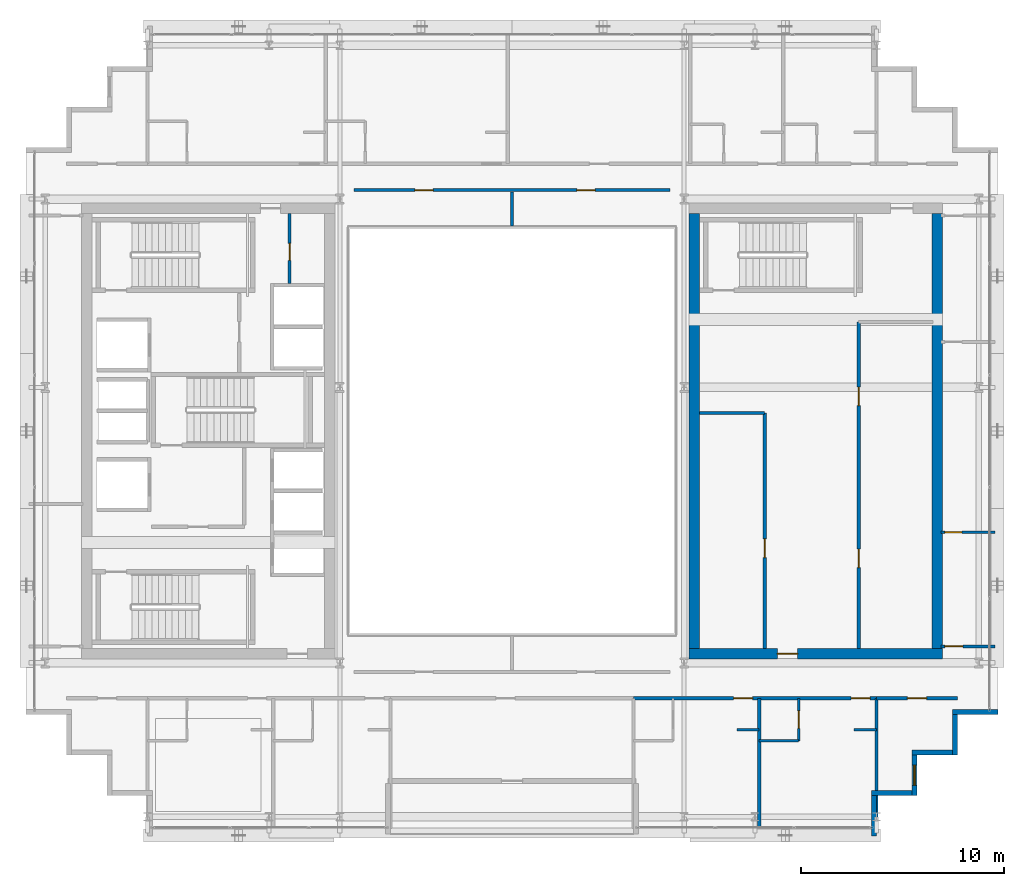
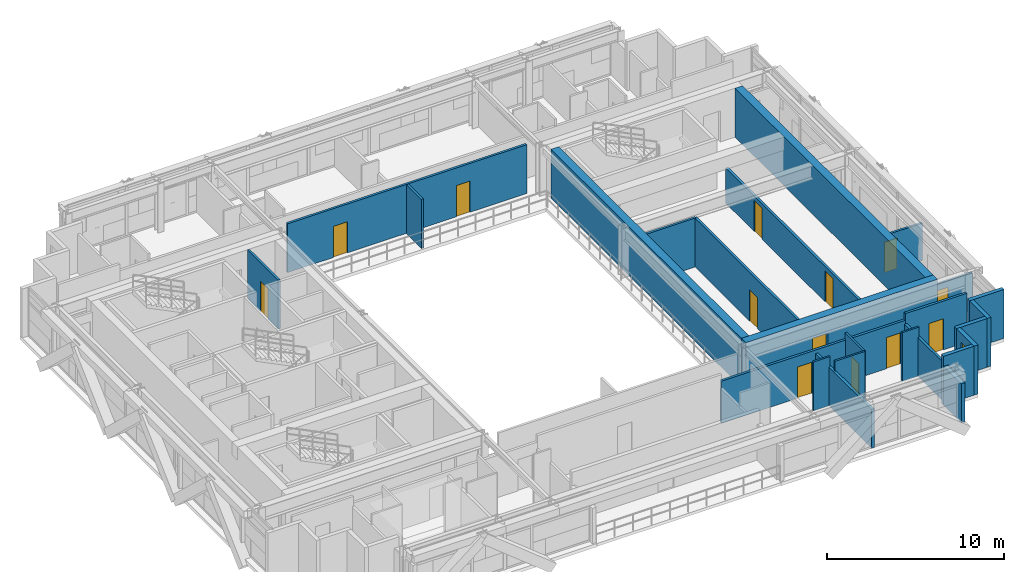
# One storey, part 25 of 31: 25 walls, 13 doors, 1 window, 14 openings.
"""IFC4 building model written with IfcOpenShell, lengths in metres."""

from ifc_helpers import new_model, si_unit, direction, frame, frame_2d, origin, place, context, subcontext, project, spatial, rectangle, extrude, source, transform, mapped, material, layer, layer_set, type_object, element, fill, save


model = new_model("IFC4")

# Units and contexts
model_context = context("Model", 3, precision=1e-05, world=origin(), true_north=direction((0.0, 1.0)))
body_context = subcontext(model_context, "Body", "Model", "MODEL_VIEW")
ifc_project = project(units=[si_unit("LENGTHUNIT", "METRE"), si_unit("AREAUNIT", "SQUARE_METRE"), si_unit("VOLUMEUNIT", "CUBIC_METRE"), si_unit("PLANEANGLEUNIT", "RADIAN"), si_unit("MASSUNIT", "GRAM", prefix="KILO")], contexts=[model_context])

# Site, building, storey
site_placement = place(None, origin())
site = spatial("IfcSite", under=ifc_project, at=site_placement, CompositionType="ELEMENT")
building_placement = place(site_placement, origin())
building = spatial("IfcBuilding", under=site, at=building_placement, Name="Ocotamira Hotel", CompositionType="ELEMENT")
storey_placement = place(building_placement, frame((0.0, 0.0, 181.199951171875)))
storey = spatial("IfcBuildingStorey", under=building, at=storey_placement, Name="L45", CompositionType="ELEMENT", Elevation=181.199951171875)

# Wall, opening, door
ifc_material_1 = material(Name="Concrete C50/60", Category="concrete")
ifc_layer_1 = layer(ifc_material_1, 0.5)
ifc_layer_set_1 = layer_set([ifc_layer_1], Name="Concrete C50/60")
wall_type_1 = type_object("IfcWallType", Name="WL-CORE-500", PredefinedType="SHEAR", material=ifc_layer_set_1)
wall_1_placement = place(storey_placement, frame((40.75, 15.0, 0.0), z_axis=(0.0, 0.0, 1.0), x_axis=(1.0, 0.0, 0.0)))
wall_1 = element("IfcWall", 1, at=wall_1_placement, inside=storey, type_object=wall_type_1, Name="L45 Shear Core Wall ECORE-S", PredefinedType="SHEAR", context=body_context, shape_type="SweptSolid", body=[
    extrude(rectangle(XDim=12.5, YDim=0.5, at=frame_2d((6.25, 0.0))), origin(), (0.0, 0.0, 1.0), 3.3701171875),
])
opening_1_placement = place(wall_1_placement, frame((4.35009765625, 0.0, 0.0)))
opening_1 = element("IfcOpeningElement", 2, at=opening_1_placement, cuts=wall_1, Name="Opening D-FR2", PredefinedType="OPENING", context=body_context, shape_type="SweptSolid", body=[
    extrude(rectangle(XDim=1.0, YDim=2.14990234375, at=frame_2d((0.5, 1.074951171875))), frame((0.0, 0.260009765625, 0.0), z_axis=(0.0, -1.0, 0.0), x_axis=(1.0, 0.0, 0.0)), (0.0, 0.0, 1.0), 0.52001953125),
])
ifc_material_2 = material(Name="Fire-rated acoustic timber-veneer door", Category="wood")
door_type_1 = type_object("IfcDoorType", Name="DR-FIRE-1000", OperationType="NOTDEFINED", PredefinedType="DOOR", material=ifc_material_2)
shared_shape_1 = source(origin(), body_context, "Body", "SweptSolid", [
    extrude(rectangle(XDim=1.0, YDim=2.14990234375, at=frame_2d((0.5, 1.074951171875))), frame((0.0, 0.02490234375, 0.0), z_axis=(0.0, -1.0, 0.0), x_axis=(1.0, 0.0, 0.0)), (0.0, 0.0, 1.0), 0.050048828125),
])
door_1_placement = place(opening_1_placement, origin())
door_1 = element("IfcDoor", 3, at=door_1_placement, inside=storey, type_object=door_type_1, Name="L45 Door ID-L45-ELOB-S-D [ID-L45-ELOB-S-D]", OperationType="SINGLE_SWING_RIGHT", OverallHeight=2.14990234375, OverallWidth=1.0, PredefinedType="DOOR", context=body_context, shape_type="MappedRepresentation", body=[
    mapped(shared_shape_1, transform((0.0, 0.0, 0.0), scale=1.0)),
])
fill(opening_1, door_1)

# Walls
for number, where, z_axis, x_axis, name in (
    (4, (41.0, 15.25, 0.0), (0.0, 0.0, 1.0), (0.0, 1.0, 0.0), "L45 Shear Core Wall ECORE-W"),
    (5, (53.0, 15.25, 0.0), (0.0, 0.0, 1.0), (0.0, 1.0, 0.0), "L45 Shear Core Wall ECORE-E"),
):
    element("IfcWall", number, at=place(storey_placement, frame(where, z_axis=z_axis, x_axis=x_axis)), inside=storey, type_object=wall_type_1, Name=name, PredefinedType="SHEAR", context=body_context, shape_type="SweptSolid", body=[
        extrude(rectangle(XDim=21.5, YDim=0.5, at=frame_2d((10.75, 0.0))), origin(), (0.0, 0.0, 1.0), 3.3701171875),
    ])
ifc_material_3 = material(Name="Precast concrete C45/55", Category="concrete")
ifc_layer_2 = layer(ifc_material_3, 0.25)
ifc_layer_set_2 = layer_set([ifc_layer_2], Name="Precast concrete C45/55")
wall_type_2 = type_object("IfcWallType", Name="WL-EXT-SER-250", PredefinedType="SOLIDWALL", material=ifc_layer_set_2)
wall_2_placement = place(storey_placement, frame((49.875, 6.0, 0.0), z_axis=(0.0, 0.0, 1.0), x_axis=(0.0, 1.0, 0.0)))
element("IfcWall", 6, at=wall_2_placement, inside=storey, type_object=wall_type_2, Name="L45 Serrated Corner Wall 01", PredefinedType="SOLIDWALL", context=body_context, shape_type="SweptSolid", body=[
    extrude(rectangle(XDim=2.0, YDim=0.25, at=frame_2d((1.0, 0.0))), origin(), (0.0, 0.0, 1.0), 2.677001953125),
])
wall_3_placement = place(storey_placement, frame((49.75, 8.125, 0.0), z_axis=(0.0, 0.0, 1.0), x_axis=(1.0, 0.0, 0.0)))
element("IfcWall", 7, at=wall_3_placement, inside=storey, type_object=wall_type_2, Name="L45 Serrated Corner Wall 02", PredefinedType="SOLIDWALL", context=body_context, shape_type="SweptSolid", body=[
    extrude(rectangle(XDim=2.0, YDim=0.25, at=frame_2d((1.0, 0.0))), origin(), (0.0, 0.0, 1.0), 3.3701171875),
])

# Wall, opening, window
wall_4_placement = place(storey_placement, frame((51.875, 8.0, 0.0), z_axis=(0.0, 0.0, 1.0), x_axis=(0.0, 1.0, 0.0)))
wall_4 = element("IfcWall", 8, at=wall_4_placement, inside=storey, type_object=wall_type_2, Name="L45 Serrated Corner Wall 03", PredefinedType="SOLIDWALL", context=body_context, shape_type="SweptSolid", body=[
    extrude(rectangle(XDim=2.0, YDim=0.25, at=frame_2d((1.0, 0.0))), origin(), (0.0, 0.0, 1.0), 3.3701171875),
])
opening_2_placement = place(wall_4_placement, frame((0.5, 0.0, 0.85009765625)))
opening_2 = element("IfcOpeningElement", 9, at=opening_2_placement, cuts=wall_4, Name="Opening WN-2", PredefinedType="OPENING", context=body_context, shape_type="SweptSolid", body=[
    extrude(rectangle(XDim=1.0, YDim=1.89990234375, at=frame_2d((0.5, 0.949951171875))), frame((0.0, 0.135009765625, 0.0), z_axis=(0.0, -1.0, 0.0), x_axis=(1.0, 0.0, 0.0)), (0.0, 0.0, 1.0), 0.27001953125),
])
ifc_material_4 = material(Name="Double-silver low-E solar glass", Category="glass")
window_type = type_object("IfcWindowType", Name="WIN-SER-1100", PartitioningType="SINGLE_PANEL", PredefinedType="WINDOW", material=ifc_material_4)
shared_shape_2 = source(origin(), body_context, "Body", "SweptSolid", [
    extrude(rectangle(XDim=1.0, YDim=1.89990234375, at=frame_2d((0.5, 0.949951171875))), frame((0.0, 0.030029296875, 0.0), z_axis=(0.0, -1.0, 0.0), x_axis=(1.0, 0.0, 0.0)), (0.0, 0.0, 1.0), 0.06005859375),
])
window_placement = place(opening_2_placement, origin())
window = element("IfcWindow", 10, at=window_placement, inside=storey, type_object=window_type, Name="L45 Serrated Corner Window 03", OverallHeight=1.89990234375, OverallWidth=1.0, PartitioningType="SINGLE_PANEL", PredefinedType="WINDOW", context=body_context, shape_type="MappedRepresentation", body=[
    mapped(shared_shape_2, transform((0.0, 0.0, 0.0), scale=1.0)),
])
fill(opening_2, window)

# Walls
for number, where, z_axis, x_axis, name in (
    (11, (51.75, 10.125, 0.0), (0.0, 0.0, 1.0), (1.0, 0.0, 0.0), "L45 Serrated Corner Wall 04"),
    (12, (53.875, 10.0, 0.0), (0.0, 0.0, 1.0), (0.0, 1.0, 0.0), "L45 Serrated Corner Wall 05"),
):
    element("IfcWall", number, at=place(storey_placement, frame(where, z_axis=z_axis, x_axis=x_axis)), inside=storey, type_object=wall_type_2, Name=name, PredefinedType="SOLIDWALL", context=body_context, shape_type="SweptSolid", body=[
        extrude(rectangle(XDim=2.0, YDim=0.25, at=frame_2d((1.0, 0.0))), origin(), (0.0, 0.0, 1.0), 3.3701171875),
    ])
wall_5_placement = place(storey_placement, frame((53.75, 12.125, 0.0), z_axis=(0.0, 0.0, 1.0), x_axis=(1.0, 0.0, 0.0)))
element("IfcWall", 13, at=wall_5_placement, inside=storey, type_object=wall_type_2, Name="L45 Serrated Corner Wall 06", PredefinedType="SOLIDWALL", context=body_context, shape_type="SweptSolid", body=[
    extrude(rectangle(XDim=2.25, YDim=0.25, at=frame_2d((1.125, 0.0))), origin(), (0.0, 0.0, 1.0), 3.3701171875),
])

# Wall, openings, doors
ifc_material_5 = material(Name="Acoustic double-layer fire gypsum board partition", Category="gypsum")
ifc_layer_3 = layer(ifc_material_5, 0.159912109375)
ifc_layer_set_3 = layer_set([ifc_layer_3], Name="Acoustic double-layer fire gypsum board partition")
wall_type_3 = type_object("IfcWallType", Name="WL-FIRE-160", PredefinedType="PARTITIONING", material=ifc_layer_set_3)
wall_6_placement = place(storey_placement, frame((49.1201171875, 15.25, 0.0), z_axis=(0.0, 0.0, 1.0), x_axis=(0.0, 1.0, 0.0)))
wall_6 = element("IfcWall", 14, at=wall_6_placement, inside=storey, type_object=wall_type_3, Name="L45 Interior Wall PW-L45-EC-FLOW-W", PredefinedType="PARTITIONING", context=body_context, shape_type="SweptSolid", body=[
    extrude(rectangle(XDim=16.1298828125, YDim=0.159912109375, at=frame_2d((8.06494140625, 0.0))), origin(), (0.0, 0.0, 1.0), 2.443115234375),
])
opening_3_placement = place(wall_6_placement, frame((4.0, 0.0, 0.0)))
opening_3 = element("IfcOpeningElement", 15, at=opening_3_placement, cuts=wall_6, Name="Opening D-SV3", PredefinedType="OPENING", context=body_context, shape_type="SweptSolid", body=[
    extrude(rectangle(XDim=0.919921875, YDim=2.14990234375, at=frame_2d((0.4599609375, 1.074951171875))), frame((0.0, 0.08984375, 0.0), z_axis=(0.0, -1.0, 0.0), x_axis=(1.0, 0.0, 0.0)), (0.0, 0.0, 1.0), 0.179931640625),
])
opening_4_placement = place(wall_6_placement, frame((12.0, 0.0, 0.0)))
opening_4 = element("IfcOpeningElement", 16, at=opening_4_placement, cuts=wall_6, Name="Opening D-SV3", PredefinedType="OPENING", context=body_context, shape_type="SweptSolid", body=[
    extrude(rectangle(XDim=0.919921875, YDim=2.14990234375, at=frame_2d((0.4599609375, 1.074951171875))), frame((0.0, 0.08984375, 0.0), z_axis=(0.0, -1.0, 0.0), x_axis=(1.0, 0.0, 0.0)), (0.0, 0.0, 1.0), 0.179931640625),
])
ifc_material_6 = material(Name="Fire-rated walnut hospitality door", Category="wood")
door_type_2 = type_object("IfcDoorType", Name="DR-SERV-920", OperationType="NOTDEFINED", PredefinedType="DOOR", material=ifc_material_6)
shared_shape_3 = source(origin(), body_context, "Body", "SweptSolid", [
    extrude(rectangle(XDim=0.919921875, YDim=2.14990234375, at=frame_2d((0.4599609375, 1.074951171875))), frame((0.0, 0.02490234375, 0.0), z_axis=(0.0, -1.0, 0.0), x_axis=(1.0, 0.0, 0.0)), (0.0, 0.0, 1.0), 0.050048828125),
])
door_2_placement = place(opening_3_placement, origin())
door_2 = element("IfcDoor", 17, at=door_2_placement, inside=storey, type_object=door_type_2, Name="L45 Door ID-L45-EC-FLOW-D1 [ID-L45-EC-FLOW-D1]", OperationType="SINGLE_SWING_LEFT", OverallHeight=2.14990234375, OverallWidth=0.919921875, PredefinedType="DOOR", context=body_context, shape_type="MappedRepresentation", body=[
    mapped(shared_shape_3, transform((0.0, 0.0, 0.0), scale=1.0)),
])
fill(opening_3, door_2)
door_3_placement = place(opening_4_placement, origin())
door_3 = element("IfcDoor", 18, at=door_3_placement, inside=storey, type_object=door_type_2, Name="L45 Door ID-L45-EC-FLOW-D2 [ID-L45-EC-FLOW-D2]", OperationType="SINGLE_SWING_RIGHT", OverallHeight=2.14990234375, OverallWidth=0.919921875, PredefinedType="DOOR", context=body_context, shape_type="MappedRepresentation", body=[
    mapped(shared_shape_3, transform((0.0, 0.0, 0.0), scale=1.0)),
])
fill(opening_4, door_3)

# Wall, opening, door
wall_7_placement = place(storey_placement, frame((50.0, 12.800048828125, 0.0), z_axis=(0.0, 0.0, 1.0), x_axis=(1.0, 0.0, 0.0)))
wall_7 = element("IfcWall", 19, at=wall_7_placement, inside=storey, type_object=wall_type_3, Name="L45 Interior Wall PW-L45-Z3B-CSE-CW", PredefinedType="PARTITIONING", context=body_context, shape_type="SweptSolid", body=[
    extrude(rectangle(XDim=4.0, YDim=0.159912109375, at=frame_2d((2.0, 0.0))), origin(), (0.0, 0.0, 1.0), 3.3701171875),
])
opening_5_placement = place(wall_7_placement, frame((1.52001953125, 0.0, 0.0)))
opening_5 = element("IfcOpeningElement", 20, at=opening_5_placement, cuts=wall_7, Name="Opening D-SV4", PredefinedType="OPENING", context=body_context, shape_type="SweptSolid", body=[
    extrude(rectangle(XDim=0.9599609375, YDim=2.14990234375, at=frame_2d((0.47998046875, 1.074951171875))), frame((0.0, 0.08984375, 0.0), z_axis=(0.0, -1.0, 0.0), x_axis=(1.0, 0.0, 0.0)), (0.0, 0.0, 1.0), 0.179931640625),
])
ifc_material_7 = material(Name="Fire-rated accessible walnut salon door", Category="wood")
door_type_3 = type_object("IfcDoorType", Name="DR-SERV-960", OperationType="NOTDEFINED", PredefinedType="DOOR", material=ifc_material_7)
shared_shape_4 = source(origin(), body_context, "Body", "SweptSolid", [
    extrude(rectangle(XDim=0.9599609375, YDim=2.14990234375, at=frame_2d((0.47998046875, 1.074951171875))), frame((0.0, 0.02490234375, 0.0), z_axis=(0.0, -1.0, 0.0), x_axis=(1.0, 0.0, 0.0)), (0.0, 0.0, 1.0), 0.050048828125),
])
door_4_placement = place(opening_5_placement, origin())
door_4 = element("IfcDoor", 21, at=door_4_placement, inside=storey, type_object=door_type_3, Name="L45 Door ID-L45-Z3B-CSE-CD [ID-L45-Z3B-CSE-CD]", OperationType="SINGLE_SWING_LEFT", OverallHeight=2.14990234375, OverallWidth=0.9599609375, PredefinedType="DOOR", context=body_context, shape_type="MappedRepresentation", body=[
    mapped(shared_shape_4, transform((0.0, 0.0, 0.0), scale=1.0)),
])
fill(opening_5, door_4)

# Wall, openings, doors
wall_8_placement = place(storey_placement, frame((38.0, 12.800048828125, 0.0), z_axis=(0.0, 0.0, 1.0), x_axis=(1.0, 0.0, 0.0)))
wall_8 = element("IfcWall", 22, at=wall_8_placement, inside=storey, type_object=wall_type_3, Name="L45 Interior Wall PW-L45-Z3BSE-CORRW", PredefinedType="PARTITIONING", context=body_context, shape_type="SweptSolid", body=[
    extrude(rectangle(XDim=12.0, YDim=0.159912109375, at=frame_2d((6.0, 0.0))), origin(), (0.0, 0.0, 1.0), 2.9130859375),
])
opening_6_placement = place(wall_8_placement, frame((4.93994140625, 0.0, 0.0)))
opening_6 = element("IfcOpeningElement", 23, at=opening_6_placement, cuts=wall_8, Name="Opening D-GR1", PredefinedType="OPENING", context=body_context, shape_type="SweptSolid", body=[
    extrude(rectangle(XDim=0.93994140625, YDim=2.14990234375, at=frame_2d((0.469970703125, 1.074951171875))), frame((0.0, 0.08984375, 0.0), z_axis=(0.0, -1.0, 0.0), x_axis=(1.0, 0.0, 0.0)), (0.0, 0.0, 1.0), 0.179931640625),
])
opening_7_placement = place(wall_8_placement, frame((10.739990234375, 0.0, 0.0)))
opening_7 = element("IfcOpeningElement", 24, at=opening_7_placement, cuts=wall_8, Name="Opening D-GR1", PredefinedType="OPENING", context=body_context, shape_type="SweptSolid", body=[
    extrude(rectangle(XDim=0.93994140625, YDim=2.14990234375, at=frame_2d((0.469970703125, 1.074951171875))), frame((0.0, 0.08984375, 0.0), z_axis=(0.0, -1.0, 0.0), x_axis=(1.0, 0.0, 0.0)), (0.0, 0.0, 1.0), 0.179931640625),
])
ifc_material_8 = material(Name="Solid-core walnut suite entrance fire door", Category="wood")
door_type_4 = type_object("IfcDoorType", Name="DR-GUEST-940", OperationType="NOTDEFINED", PredefinedType="DOOR", material=ifc_material_8)
shared_shape_5 = source(origin(), body_context, "Body", "SweptSolid", [
    extrude(rectangle(XDim=0.93994140625, YDim=2.14990234375, at=frame_2d((0.469970703125, 1.074951171875))), frame((0.0, 0.02490234375, 0.0), z_axis=(0.0, -1.0, 0.0), x_axis=(1.0, 0.0, 0.0)), (0.0, 0.0, 1.0), 0.050048828125),
])
door_5_placement = place(opening_6_placement, origin())
door_5 = element("IfcDoor", 25, at=door_5_placement, inside=storey, type_object=door_type_4, Name="L45 Door ID-L45-Z3BSE-RMD1 [ID-L45-Z3BSE-RMD1]", OperationType="SINGLE_SWING_LEFT", OverallHeight=2.14990234375, OverallWidth=0.93994140625, PredefinedType="DOOR", context=body_context, shape_type="MappedRepresentation", body=[
    mapped(shared_shape_5, transform((0.0, 0.0, 0.0), scale=1.0)),
])
fill(opening_6, door_5)
door_6_placement = place(opening_7_placement, origin())
door_6 = element("IfcDoor", 26, at=door_6_placement, inside=storey, type_object=door_type_4, Name="L45 Door ID-L45-Z3BSE-RMD2 [ID-L45-Z3BSE-RMD2]", OperationType="SINGLE_SWING_RIGHT", OverallHeight=2.14990234375, OverallWidth=0.93994140625, PredefinedType="DOOR", context=body_context, shape_type="MappedRepresentation", body=[
    mapped(shared_shape_5, transform((0.0, 0.0, 0.0), scale=1.0)),
])
fill(opening_7, door_6)

# Wall
ifc_material_9 = material(Name="Moisture-resistant en-suite tile and gypsum partition", Category="gypsum")
ifc_layer_4 = layer(ifc_material_9, 0.1201171875)
ifc_layer_set_4 = layer_set([ifc_layer_4], Name="Moisture-resistant en-suite tile and gypsum partition")
wall_type_4 = type_object("IfcWallType", Name="WL-PART-120", PredefinedType="PARTITIONING", material=ifc_layer_set_4)
wall_9_placement = place(storey_placement, frame((43.10009765625, 11.25, 0.0), z_axis=(0.0, 0.0, 1.0), x_axis=(1.0, 0.0, 0.0)))
element("IfcWall", 27, at=wall_9_placement, inside=storey, type_object=wall_type_4, Name="L45 Interior Wall PW-L45-Z3BSE-DRN1", PredefinedType="PARTITIONING", context=body_context, shape_type="SweptSolid", body=[
    extrude(rectangle(XDim=1.099853515625, YDim=0.1201171875, at=frame_2d((0.5498046875, 0.0))), origin(), (0.0, 0.0, 1.0), 3.3701171875),
])

# Wall, opening, door
wall_10_placement = place(storey_placement, frame((46.14990234375, 10.699951171875, 0.0), z_axis=(0.0, 0.0, 1.0), x_axis=(0.0, 1.0, 0.0)))
wall_10 = element("IfcWall", 28, at=wall_10_placement, inside=storey, type_object=wall_type_4, Name="L45 Interior Wall PW-L45-Z3BSE-BAE2", PredefinedType="PARTITIONING", context=body_context, shape_type="SweptSolid", body=[
    extrude(rectangle(XDim=2.10009765625, YDim=0.1201171875, at=frame_2d((1.050048828125, 0.0))), origin(), (0.0, 0.0, 1.0), 3.3701171875),
])
opening_8_placement = place(wall_10_placement, frame((0.6201171875, 0.0, 0.0)))
opening_8 = element("IfcOpeningElement", 29, at=opening_8_placement, cuts=wall_10, Name="Opening D-BA1", PredefinedType="OPENING", context=body_context, shape_type="SweptSolid", body=[
    extrude(rectangle(XDim=0.860107421875, YDim=2.10009765625, at=frame_2d((0.43017578125, 1.050048828125))), frame((0.0, 0.070068359375, 0.0), z_axis=(0.0, -1.0, 0.0), x_axis=(1.0, 0.0, 0.0)), (0.0, 0.0, 1.0), 0.14013671875),
])
ifc_material_10 = material(Name="Moisture-sealed en-suite timber door", Category="wood")
door_type_5 = type_object("IfcDoorType", Name="DR-BATH-860", OperationType="NOTDEFINED", PredefinedType="DOOR", material=ifc_material_10)
shared_shape_6 = source(origin(), body_context, "Body", "SweptSolid", [
    extrude(rectangle(XDim=0.860107421875, YDim=2.10009765625, at=frame_2d((0.43017578125, 1.050048828125))), frame((0.0, 0.02490234375, 0.0), z_axis=(0.0, -1.0, 0.0), x_axis=(1.0, 0.0, 0.0)), (0.0, 0.0, 1.0), 0.050048828125),
])
door_7_placement = place(opening_8_placement, origin())
door_7 = element("IfcDoor", 30, at=door_7_placement, inside=storey, type_object=door_type_5, Name="L45 Door ID-L45-Z3BSE-BAD2 [ID-L45-Z3BSE-BAD2]", OperationType="SINGLE_SWING_LEFT", OverallHeight=2.10009765625, OverallWidth=0.860107421875, PredefinedType="DOOR", context=body_context, shape_type="MappedRepresentation", body=[
    mapped(shared_shape_6, transform((0.0, 0.0, 0.0), scale=1.0)),
])
fill(opening_8, door_7)

# Walls
wall_11_placement = place(storey_placement, frame((44.199951171875, 10.699951171875, 0.0), z_axis=(0.0, 0.0, 1.0), x_axis=(1.0, 0.0, 0.0)))
element("IfcWall", 31, at=wall_11_placement, inside=storey, type_object=wall_type_4, Name="L45 Interior Wall PW-L45-Z3BSE-BAS2", PredefinedType="PARTITIONING", context=body_context, shape_type="SweptSolid", body=[
    extrude(rectangle(XDim=1.949951171875, YDim=0.1201171875, at=frame_2d((0.97509765625, 0.0))), origin(), (0.0, 0.0, 1.0), 3.3701171875),
])
wall_12_placement = place(storey_placement, frame((48.89990234375, 11.25, 0.0), z_axis=(0.0, 0.0, 1.0), x_axis=(1.0, 0.0, 0.0)))
element("IfcWall", 32, at=wall_12_placement, inside=storey, type_object=wall_type_4, Name="L45 Interior Wall PW-L45-Z3BSE-DRN2", PredefinedType="PARTITIONING", context=body_context, shape_type="SweptSolid", body=[
    extrude(rectangle(XDim=1.10009765625, YDim=0.1201171875, at=frame_2d((0.550048828125, 0.0))), origin(), (0.0, 0.0, 1.0), 3.3701171875),
])

# Wall, opening, door
ifc_material_11 = material(Name="Acoustic hospitality gypsum board partition", Category="gypsum")
ifc_layer_5 = layer(ifc_material_11, 0.14208984375)
ifc_layer_set_5 = layer_set([ifc_layer_5], Name="Acoustic hospitality gypsum board partition")
wall_type_5 = type_object("IfcWallType", Name="WL-PART-142", PredefinedType="PARTITIONING", material=ifc_layer_set_5)
wall_13_placement = place(storey_placement, frame((21.02001953125, 33.280029296875, 0.0), z_axis=(0.0, 0.0, 1.0), x_axis=(0.0, 1.0, 0.0)))
wall_13 = element("IfcWall", 33, at=wall_13_placement, inside=storey, type_object=wall_type_5, Name="L45 Interior Wall PW-L45-WC-NE-W", PredefinedType="PARTITIONING", context=body_context, shape_type="SweptSolid", body=[
    extrude(rectangle(XDim=3.469970703125, YDim=0.14208984375, at=frame_2d((1.73486328125, 0.0))), origin(), (0.0, 0.0, 1.0), 3.3701171875),
])
opening_9_placement = place(wall_13_placement, frame((1.14990234375, 0.0, 0.0)))
opening_9 = element("IfcOpeningElement", 34, at=opening_9_placement, cuts=wall_13, Name="Opening D-SV1", PredefinedType="OPENING", context=body_context, shape_type="SweptSolid", body=[
    extrude(rectangle(XDim=0.840087890625, YDim=2.10009765625, at=frame_2d((0.419921875, 1.050048828125))), frame((0.0, 0.0810546875, 0.0), z_axis=(0.0, -1.0, 0.0), x_axis=(1.0, 0.0, 0.0)), (0.0, 0.0, 1.0), 0.162109375),
])
ifc_material_12 = material(Name="Fire-rated painted steel service door", Category="steel")
door_type_6 = type_object("IfcDoorType", Name="DR-SERV-840", OperationType="NOTDEFINED", PredefinedType="DOOR", material=ifc_material_12)
shared_shape_7 = source(origin(), body_context, "Body", "SweptSolid", [
    extrude(rectangle(XDim=0.840087890625, YDim=2.10009765625, at=frame_2d((0.419921875, 1.050048828125))), frame((0.0, 0.02490234375, 0.0), z_axis=(0.0, -1.0, 0.0), x_axis=(1.0, 0.0, 0.0)), (0.0, 0.0, 1.0), 0.050048828125),
])
door_8_placement = place(opening_9_placement, origin())
door_8 = element("IfcDoor", 35, at=door_8_placement, inside=storey, type_object=door_type_6, Name="L45 Door ID-L45-WC-NE-D [ID-L45-WC-NE-D]", OperationType="SINGLE_SWING_LEFT", OverallHeight=2.10009765625, OverallWidth=0.840087890625, PredefinedType="DOOR", context=body_context, shape_type="MappedRepresentation", body=[
    mapped(shared_shape_7, transform((0.0, 0.0, 0.0), scale=1.0)),
])
fill(opening_9, door_8)

# Wall
wall_14_placement = place(storey_placement, frame((32.0, 36.1201171875, 0.0), z_axis=(0.0, 0.0, 1.0), x_axis=(0.0, 1.0, 0.0)))
element("IfcWall", 36, at=wall_14_placement, inside=storey, type_object=wall_type_5, Name="L45 Interior Wall PW-L45-Z3B-AND1", PredefinedType="PARTITIONING", context=body_context, shape_type="SweptSolid", body=[
    extrude(rectangle(XDim=1.679931640625, YDim=0.14208984375, at=frame_2d((0.83984375, 0.0))), origin(), (0.0, 0.0, 1.0), 3.3701171875),
])

# Wall, opening, door
wall_15_placement = place(storey_placement, frame((53.179931640625, 21.0, 0.0), z_axis=(0.0, 0.0, 1.0), x_axis=(1.0, 0.0, 0.0)))
wall_15 = element("IfcWall", 37, at=wall_15_placement, inside=storey, type_object=wall_type_5, Name="L45 Interior Wall PW-L45-Z3B-EF-DV1", PredefinedType="PARTITIONING", context=body_context, shape_type="SweptSolid", body=[
    extrude(rectangle(XDim=2.66015625, YDim=0.14208984375, at=frame_2d((1.330078125, 0.0))), origin(), (0.0, 0.0, 1.0), 2.591064453125),
])
opening_10_placement = place(wall_15_placement, frame((0.199951171875, 0.0, 0.0)))
opening_10 = element("IfcOpeningElement", 38, at=opening_10_placement, cuts=wall_15, Name="Opening D-SV1", PredefinedType="OPENING", context=body_context, shape_type="SweptSolid", body=[
    extrude(rectangle(XDim=0.840087890625, YDim=2.10009765625, at=frame_2d((0.419921875, 1.050048828125))), frame((0.0, 0.0810546875, 0.0), z_axis=(0.0, -1.0, 0.0), x_axis=(1.0, 0.0, 0.0)), (0.0, 0.0, 1.0), 0.162109375),
])
door_9_placement = place(opening_10_placement, origin())
door_9 = element("IfcDoor", 39, at=door_9_placement, inside=storey, type_object=door_type_6, Name="L45 Door ID-L45-Z3B-EF-DV1D [ID-L45-Z3B-EF-DV1D]", OperationType="SINGLE_SWING_LEFT", OverallHeight=2.10009765625, OverallWidth=0.840087890625, PredefinedType="DOOR", context=body_context, shape_type="MappedRepresentation", body=[
    mapped(shared_shape_7, transform((0.0, 0.0, 0.0), scale=1.0)),
])
fill(opening_10, door_9)

# Wall
ifc_layer_6 = layer(ifc_material_11, 0.14990234375)
ifc_layer_set_6 = layer_set([ifc_layer_6], Name="Acoustic hospitality gypsum board partition")
wall_type_6 = type_object("IfcWallType", Name="WL-PART-150", PredefinedType="PARTITIONING", material=ifc_layer_set_6)
wall_16_placement = place(storey_placement, frame((41.25, 26.8798828125, 0.0), z_axis=(0.0, 0.0, 1.0), x_axis=(1.0, 0.0, 0.0)))
element("IfcWall", 40, at=wall_16_placement, inside=storey, type_object=wall_type_6, Name="L45 Interior Wall PW-L45-EC-FMID-N", PredefinedType="PARTITIONING", context=body_context, shape_type="SweptSolid", body=[
    extrude(rectangle(XDim=3.22998046875, YDim=0.14990234375, at=frame_2d((1.614990234375, 0.0))), origin(), (0.0, 0.0, 1.0), 3.3701171875),
])

# Wall, opening, door
wall_17_placement = place(storey_placement, frame((44.47998046875, 15.25, 0.0), z_axis=(0.0, 0.0, 1.0), x_axis=(0.0, 1.0, 0.0)))
wall_17 = element("IfcWall", 41, at=wall_17_placement, inside=storey, type_object=wall_type_6, Name="L45 Interior Wall PW-L45-EC-FMID-E", PredefinedType="PARTITIONING", context=body_context, shape_type="SweptSolid", body=[
    extrude(rectangle(XDim=11.6298828125, YDim=0.14990234375, at=frame_2d((5.81494140625, 0.0))), origin(), (0.0, 0.0, 1.0), 3.3701171875),
])
opening_11_placement = place(wall_17_placement, frame((4.5, 0.0, 0.0)))
opening_11 = element("IfcOpeningElement", 42, at=opening_11_placement, cuts=wall_17, Name="Opening D-SV3", PredefinedType="OPENING", context=body_context, shape_type="SweptSolid", body=[
    extrude(rectangle(XDim=0.919921875, YDim=2.14990234375, at=frame_2d((0.4599609375, 1.074951171875))), frame((0.0, 0.0849609375, 0.0), z_axis=(0.0, -1.0, 0.0), x_axis=(1.0, 0.0, 0.0)), (0.0, 0.0, 1.0), 0.169921875),
])
door_10_placement = place(opening_11_placement, origin())
door_10 = element("IfcDoor", 43, at=door_10_placement, inside=storey, type_object=door_type_2, Name="L45 Door ID-L45-EC-FMID-D1 [ID-L45-EC-FMID-D1]", OperationType="SINGLE_SWING_RIGHT", OverallHeight=2.14990234375, OverallWidth=0.919921875, PredefinedType="DOOR", context=body_context, shape_type="MappedRepresentation", body=[
    mapped(shared_shape_3, transform((0.0, 0.0, 0.0), scale=1.0)),
])
fill(opening_11, door_10)

# Wall, openings, doors
wall_18_placement = place(storey_placement, frame((24.199951171875, 37.89990234375, 0.0), z_axis=(0.0, 0.0, 1.0), x_axis=(1.0, 0.0, 0.0)))
wall_18 = element("IfcWall", 44, at=wall_18_placement, inside=storey, type_object=wall_type_6, Name="L45 Interior Wall PW-L45-Z3B-ATRNW", PredefinedType="PARTITIONING", context=body_context, shape_type="SweptSolid", body=[
    extrude(rectangle(XDim=15.60009765625, YDim=0.14990234375, at=frame_2d((7.800048828125, 0.0))), origin(), (0.0, 0.0, 1.0), 3.3701171875),
])
opening_12_placement = place(wall_18_placement, frame((3.0, 0.0, 0.0)))
opening_12 = element("IfcOpeningElement", 45, at=opening_12_placement, cuts=wall_18, Name="Opening D-IN3", PredefinedType="OPENING", context=body_context, shape_type="SweptSolid", body=[
    extrude(rectangle(XDim=0.89990234375, YDim=2.14990234375, at=frame_2d((0.449951171875, 1.074951171875))), frame((0.0, 0.0849609375, 0.0), z_axis=(0.0, -1.0, 0.0), x_axis=(1.0, 0.0, 0.0)), (0.0, 0.0, 1.0), 0.169921875),
])
opening_13_placement = place(wall_18_placement, frame((11.0, 0.0, 0.0)))
opening_13 = element("IfcOpeningElement", 46, at=opening_13_placement, cuts=wall_18, Name="Opening D-IN3", PredefinedType="OPENING", context=body_context, shape_type="SweptSolid", body=[
    extrude(rectangle(XDim=0.89990234375, YDim=2.14990234375, at=frame_2d((0.449951171875, 1.074951171875))), frame((0.0, 0.0849609375, 0.0), z_axis=(0.0, -1.0, 0.0), x_axis=(1.0, 0.0, 0.0)), (0.0, 0.0, 1.0), 0.169921875),
])
ifc_material_13 = material(Name="Painted service room door", Category="steel")
door_type_7 = type_object("IfcDoorType", Name="DR-INT-900", OperationType="NOTDEFINED", PredefinedType="DOOR", material=ifc_material_13)
shared_shape_8 = source(origin(), body_context, "Body", "SweptSolid", [
    extrude(rectangle(XDim=0.89990234375, YDim=2.14990234375, at=frame_2d((0.449951171875, 1.074951171875))), frame((0.0, 0.02490234375, 0.0), z_axis=(0.0, -1.0, 0.0), x_axis=(1.0, 0.0, 0.0)), (0.0, 0.0, 1.0), 0.050048828125),
])
door_11_placement = place(opening_12_placement, origin())
door_11 = element("IfcDoor", 47, at=door_11_placement, inside=storey, type_object=door_type_7, Name="L45 Door ID-L45-Z3B-AND1D [ID-L45-Z3B-AND1D]", OperationType="SINGLE_SWING_RIGHT", OverallHeight=2.14990234375, OverallWidth=0.89990234375, PredefinedType="DOOR", context=body_context, shape_type="MappedRepresentation", body=[
    mapped(shared_shape_8, transform((0.0, 0.0, 0.0), scale=1.0)),
])
fill(opening_12, door_11)
door_12_placement = place(opening_13_placement, origin())
door_12 = element("IfcDoor", 48, at=door_12_placement, inside=storey, type_object=door_type_7, Name="L45 Door ID-L45-Z3B-AND2D [ID-L45-Z3B-AND2D]", OperationType="SINGLE_SWING_LEFT", OverallHeight=2.14990234375, OverallWidth=0.89990234375, PredefinedType="DOOR", context=body_context, shape_type="MappedRepresentation", body=[
    mapped(shared_shape_8, transform((0.0, 0.0, 0.0), scale=1.0)),
])
fill(opening_13, door_12)

# Wall, opening, door
wall_19_placement = place(storey_placement, frame((53.179931640625, 15.360107421875, 0.0), z_axis=(0.0, 0.0, 1.0), x_axis=(1.0, 0.0, 0.0)))
wall_19 = element("IfcWall", 49, at=wall_19_placement, inside=storey, type_object=wall_type_6, Name="L45 Interior Wall PW-L45-Z3B-EF-WS", PredefinedType="PARTITIONING", context=body_context, shape_type="SweptSolid", body=[
    extrude(rectangle(XDim=2.66015625, YDim=0.14990234375, at=frame_2d((1.330078125, 0.0))), origin(), (0.0, 0.0, 1.0), 2.591064453125),
])
opening_14_placement = place(wall_19_placement, frame((0.199951171875, 0.0, 0.0)))
opening_14 = element("IfcOpeningElement", 50, at=opening_14_placement, cuts=wall_19, Name="Opening D-SV2", PredefinedType="OPENING", context=body_context, shape_type="SweptSolid", body=[
    extrude(rectangle(XDim=0.8798828125, YDim=2.14990234375, at=frame_2d((0.43994140625, 1.074951171875))), frame((0.0, 0.0849609375, 0.0), z_axis=(0.0, -1.0, 0.0), x_axis=(1.0, 0.0, 0.0)), (0.0, 0.0, 1.0), 0.169921875),
])
door_type_8 = type_object("IfcDoorType", Name="DR-SERV-880", OperationType="NOTDEFINED", PredefinedType="DOOR", material=ifc_material_12)
shared_shape_9 = source(origin(), body_context, "Body", "SweptSolid", [
    extrude(rectangle(XDim=0.8798828125, YDim=2.14990234375, at=frame_2d((0.43994140625, 1.074951171875))), frame((0.0, 0.02490234375, 0.0), z_axis=(0.0, -1.0, 0.0), x_axis=(1.0, 0.0, 0.0)), (0.0, 0.0, 1.0), 0.050048828125),
])
door_13_placement = place(opening_14_placement, origin())
door_13 = element("IfcDoor", 51, at=door_13_placement, inside=storey, type_object=door_type_8, Name="L45 Door ID-L45-Z3B-EF-DS [ID-L45-Z3B-EF-DS]", OperationType="SINGLE_SWING_RIGHT", OverallHeight=2.14990234375, OverallWidth=0.8798828125, PredefinedType="DOOR", context=body_context, shape_type="MappedRepresentation", body=[
    mapped(shared_shape_9, transform((0.0, 0.0, 0.0), scale=1.0)),
])
fill(opening_14, door_13)

# Walls
ifc_material_14 = material(Name="Acoustic double-stud hospitality gypsum partition", Category="gypsum")
ifc_layer_7 = layer(ifc_material_14, 0.159912109375)
ifc_layer_set_7 = layer_set([ifc_layer_7], Name="Acoustic double-stud hospitality gypsum partition")
wall_type_7 = type_object("IfcWallType", Name="WL-PART-160", PredefinedType="PARTITIONING", material=ifc_layer_set_7)
wall_20_placement = place(storey_placement, frame((50.0, 6.360107421875, 0.0), z_axis=(0.0, 0.0, 1.0), x_axis=(0.0, 1.0, 0.0)))
element("IfcWall", 52, at=wall_20_placement, inside=storey, type_object=wall_type_7, Name="L45 Interior Wall PW-L45-Z3BSE-PWEND", PredefinedType="PARTITIONING", context=body_context, shape_type="SweptSolid", body=[
    extrude(rectangle(XDim=6.43994140625, YDim=0.159912109375, at=frame_2d((3.219970703125, 0.0))), origin(), (0.0, 0.0, 1.0), 2.677001953125),
])
ifc_material_15 = material(Name="Double-stud suite party gypsum partition", Category="gypsum")
ifc_layer_8 = layer(ifc_material_15, 0.175048828125)
ifc_layer_set_8 = layer_set([ifc_layer_8], Name="Double-stud suite party gypsum partition")
wall_type_8 = type_object("IfcWallType", Name="WL-PART-175", PredefinedType="PARTITIONING", material=ifc_layer_set_8)
wall_21_placement = place(storey_placement, frame((44.199951171875, 6.360107421875, 0.0), z_axis=(0.0, 0.0, 1.0), x_axis=(0.0, 1.0, 0.0)))
element("IfcWall", 53, at=wall_21_placement, inside=storey, type_object=wall_type_8, Name="L45 Interior Wall PW-L45-Z3BSE-PW1", PredefinedType="PARTITIONING", context=body_context, shape_type="SweptSolid", body=[
    extrude(rectangle(XDim=6.43994140625, YDim=0.175048828125, at=frame_2d((3.219970703125, 0.0))), origin(), (0.0, 0.0, 1.0), 2.677001953125),
])

save(model, "model.ifc")
